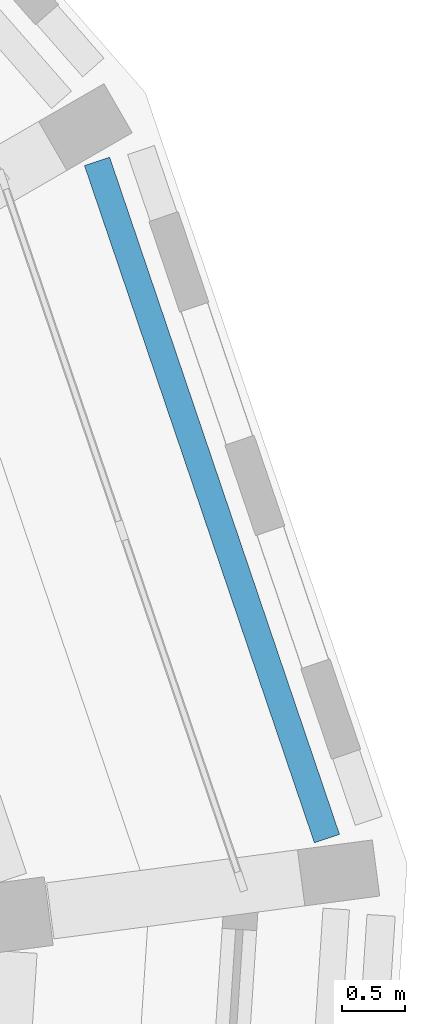
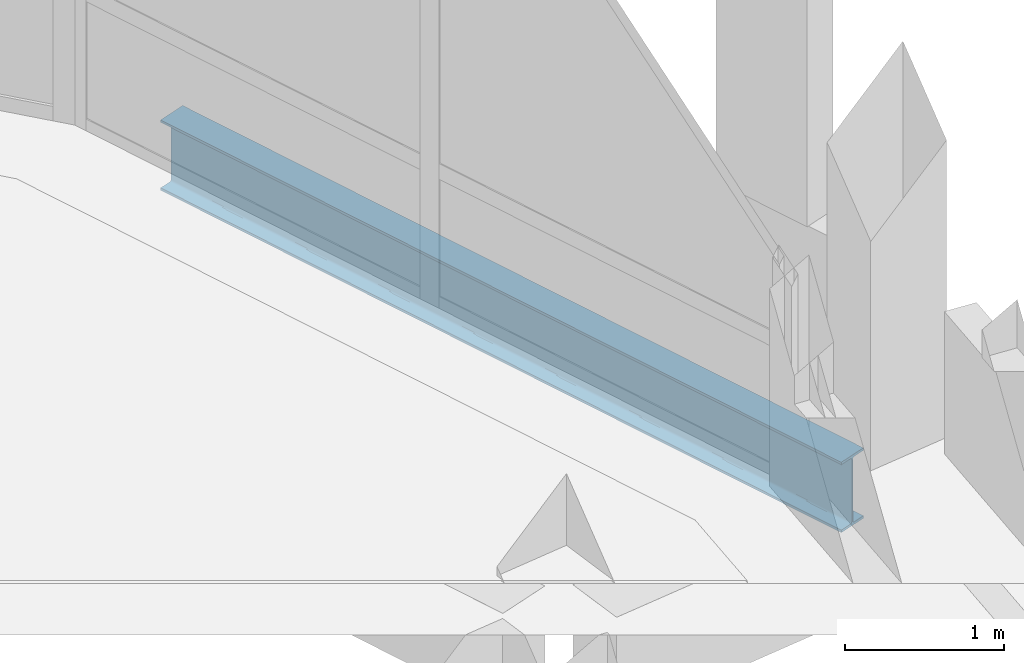
# One storey, part 65 of 125: 1 beam.
"""IFC4 building model written with IfcOpenShell, lengths in metres."""

from ifc_helpers import new_model, si_unit, direction, frame, origin, origin_2d, place, context, subcontext, project, spatial, i_section, extrude, material, material_profile, profile_set, type_object, element, save


model = new_model("IFC4")

# Units and contexts
model_context = context("Model", 3, precision=1e-05, world=origin(), true_north=direction((0.0, 1.0)))
body_context = subcontext(model_context, "Body", "Model", "MODEL_VIEW")
ifc_project = project(units=[si_unit("LENGTHUNIT", "METRE"), si_unit("AREAUNIT", "SQUARE_METRE"), si_unit("VOLUMEUNIT", "CUBIC_METRE"), si_unit("PLANEANGLEUNIT", "RADIAN"), si_unit("MASSUNIT", "GRAM", prefix="KILO")], contexts=[model_context])

# Site, building, storey
site_placement = place(None, origin())
site = spatial("IfcSite", under=ifc_project, at=site_placement, CompositionType="ELEMENT")
building_placement = place(site_placement, origin())
building = spatial("IfcBuilding", under=site, at=building_placement, Name="Wrenclough Park School", CompositionType="ELEMENT")
storey_placement = place(building_placement, frame((0.0, 0.0, 4.199951171875)))
storey = spatial("IfcBuildingStorey", under=building, at=storey_placement, Name="L01", CompositionType="ELEMENT", Elevation=4.199951171875)

# Beam
ifc_material = material(Name="Structural steel S355", Category="steel")
ifc_material_profile = material_profile(ifc_material, i_section(OverallWidth=0.210693359375, OverallDepth=0.53955078125, WebThickness=0.01171875, FlangeThickness=0.018798828125, FilletRadius=0.0126953125, at=origin_2d()), Name="UKB 533x210x109")
ifc_profile_set = profile_set([ifc_material_profile], Name="Structural steel S355")
beam_type = type_object("IfcBeamType", Name="STR-BM-UKB533B", PredefinedType="SPANDREL", material=ifc_profile_set)
beam_placement = place(storey_placement, frame((190.320068359375, 95.86767578125, -0.53466796875), z_axis=(-0.321452413146, 0.946925734196, 0.0), x_axis=(-0.946925734196, -0.321452413146, 0.0)))
element("IfcBeam", 1, at=beam_placement, inside=storey, type_object=beam_type, Name="D5 L01 outer ring spandrel beam 1", PredefinedType="SPANDREL", context=body_context, shape_type="SweptSolid", body=[
    extrude(i_section(OverallWidth=0.210693359375, OverallDepth=0.53955078125, WebThickness=0.01171875, FlangeThickness=0.018798828125, FilletRadius=0.0126953125, at=origin_2d()), origin(), (0.0, 0.0, 1.0), 5.686279296875),
])

save(model, "model.ifc")
